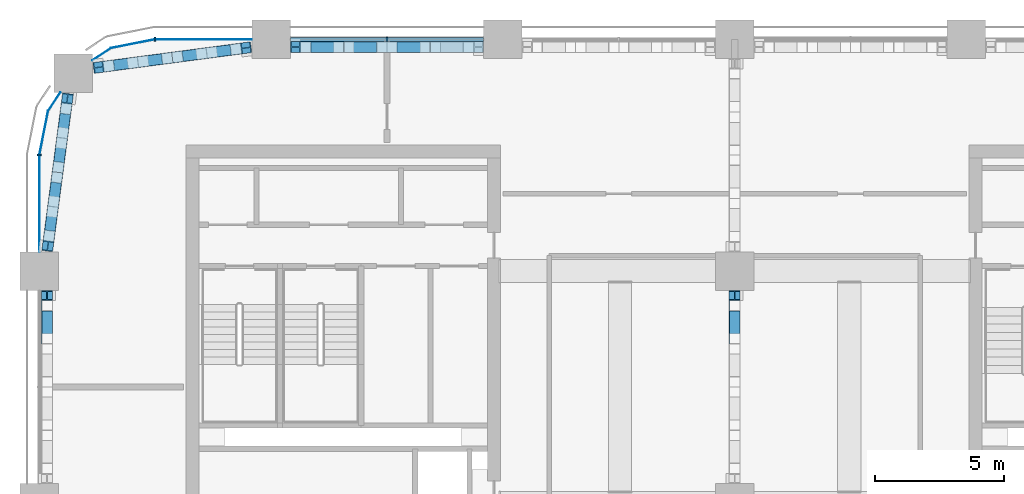
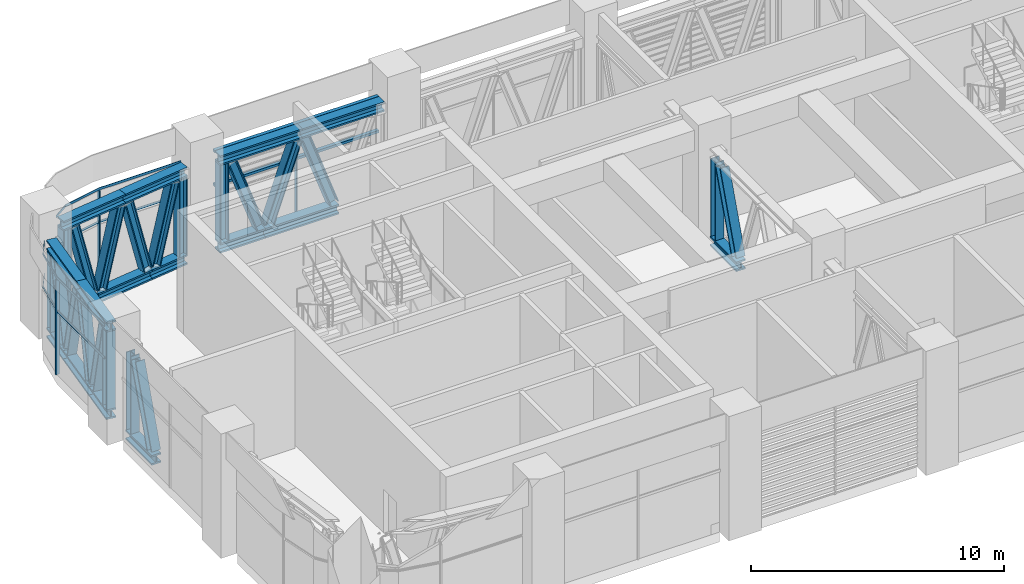
# One storey, part 4 of 19: 45 members, 3 elements without a shape of their own.
"""IFC4 building model written with IfcOpenShell, lengths in metres."""

from ifc_helpers import new_model, si_unit, direction, frame, origin, origin_2d, place, context, subcontext, project, spatial, polyline, rectangle, i_section, outline, extrude, material, material_profile, profile_set, type_object, element, aggregate, save


model = new_model("IFC4")

# Units and contexts
model_context = context("Model", 3, precision=1e-05, world=origin(), true_north=direction((0.0, 1.0)))
body_context = subcontext(model_context, "Body", "Model", "MODEL_VIEW")
ifc_project = project(units=[si_unit("LENGTHUNIT", "METRE"), si_unit("AREAUNIT", "SQUARE_METRE"), si_unit("VOLUMEUNIT", "CUBIC_METRE"), si_unit("PLANEANGLEUNIT", "RADIAN"), si_unit("MASSUNIT", "GRAM", prefix="KILO")], contexts=[model_context])

# Site, building, storey
site_placement = place(None, origin())
site = spatial("IfcSite", under=ifc_project, at=site_placement, CompositionType="ELEMENT")
building_placement = place(site_placement, origin())
building = spatial("IfcBuilding", under=site, at=building_placement, Name="Tessera Arch", CompositionType="ELEMENT")
storey_placement = place(building_placement, frame((0.0, 0.0, 197.300048828125)))
storey = spatial("IfcBuildingStorey", under=building, at=storey_placement, Name="L47", CompositionType="ELEMENT", Elevation=197.300048828125)

# Curtain wall, member
ifc_material_1 = material(Name="CW7 curtain wall")
curtain_wall_type = type_object("IfcCurtainWallType", Name="CW7 curtain wall", PredefinedType="NOTDEFINED", material=ifc_material_1)
curtain_wall_1_placement = place(storey_placement, origin())
curtain_wall_1 = element("IfcCurtainWall", 1, at=curtain_wall_1_placement, inside=storey, type_object=curtain_wall_type, Name="CW7 curtain wall N54.0/4 L47", PredefinedType="NOTDEFINED")
ifc_material_2 = material(Name="Anodised aluminium pale metal", Category="aluminium")
ifc_material_profile_1 = material_profile(ifc_material_2, rectangle(XDim=0.159912109375, YDim=0.06005859375, at=origin_2d()), Name="AL 60x160")
ifc_profile_set_1 = profile_set([ifc_material_profile_1], Name="Anodised aluminium pale metal")
member_type_1 = type_object("IfcMemberType", Name="CW7 mullion", PredefinedType="MULLION", material=ifc_profile_set_1)
member_1_placement = place(storey_placement, frame((13.5, 54.0, 0.0), z_axis=(0.0, 0.0, 1.0), x_axis=(0.0, -1.0, 0.0)))
member_1 = element("IfcMember", 2, at=member_1_placement, type_object=member_type_1, Name="CW7 mullion N54.0/4 1", PredefinedType="MULLION", context=body_context, shape_type="SweptSolid", body=[
    extrude(rectangle(XDim=0.159912109375, YDim=0.06005859375, at=origin_2d()), origin(), (0.0, 0.0, 1.0), 4.579833984375),
])

curtain_wall_2_placement = place(storey_placement, origin())
curtain_wall_2 = element("IfcCurtainWall", 3, at=curtain_wall_2_placement, inside=storey, type_object=curtain_wall_type, Name="CW7 curtain wall N54.0/5 L47", PredefinedType="NOTDEFINED")
member_2_placement = place(storey_placement, frame((4.5, 54.0, 0.0), z_axis=(0.0, 0.0, 1.0), x_axis=(0.0, -1.0, 0.0)))
member_2 = element("IfcMember", 4, at=member_2_placement, type_object=member_type_1, Name="CW7 mullion N54.0/5 1", PredefinedType="MULLION", context=body_context, shape_type="SweptSolid", body=[
    extrude(rectangle(XDim=0.159912109375, YDim=0.06005859375, at=origin_2d()), origin(), (0.0, 0.0, 1.0), 4.579833984375),
])

curtain_wall_3_placement = place(storey_placement, origin())
curtain_wall_3 = element("IfcCurtainWall", 5, at=curtain_wall_3_placement, inside=storey, type_object=curtain_wall_type, Name="CW7 curtain wall W0.27/0 L47", PredefinedType="NOTDEFINED")
member_3_placement = place(storey_placement, frame((0.0, 49.5, 0.0), z_axis=(0.0, 0.0, 1.0), x_axis=(1.0, 0.0, 0.0)))
member_3 = element("IfcMember", 6, at=member_3_placement, type_object=member_type_1, Name="CW7 mullion W0.27/0 1", PredefinedType="MULLION", context=body_context, shape_type="SweptSolid", body=[
    extrude(rectangle(XDim=0.159912109375, YDim=0.06005859375, at=origin_2d()), origin(), (0.0, 0.0, 1.0), 4.579833984375),
])

# Member
ifc_material_3 = material(Name="Anodised aluminium pale metal", Category="aluminium")
ifc_material_profile_2 = material_profile(ifc_material_3, rectangle(XDim=0.159912109375, YDim=0.1201171875, at=origin_2d()), Name="AL 160x120")
ifc_profile_set_2 = profile_set([ifc_material_profile_2], Name="Anodised aluminium pale metal")
member_type_2 = type_object("IfcMemberType", Name="CW7 transom", PredefinedType="USERDEFINED", material=ifc_profile_set_2)
member_4_placement = place(storey_placement, frame((17.25, 54.0, 4.639892578125), z_axis=(-1.0, 0.0, 0.0), x_axis=(0.0, -1.0, 0.0)))
member_4 = element("IfcMember", 7, at=member_4_placement, type_object=member_type_2, Name="CW7 transom N54.0/4 1.1", ObjectType="TRANSOM", PredefinedType="USERDEFINED", context=body_context, shape_type="SweptSolid", body=[
    extrude(rectangle(XDim=0.159912109375, YDim=0.1201171875, at=origin_2d()), origin(), (0.0, 0.0, 1.0), 7.5),
])

member_5_placement = place(storey_placement, frame((17.25, 54.0, 3.0), z_axis=(-1.0, 0.0, 0.0), x_axis=(0.0, -1.0, 0.0)))
member_5 = element("IfcMember", 8, at=member_5_placement, type_object=member_type_2, Name="CW7 transom N54.0/4 2.1", ObjectType="TRANSOM", PredefinedType="USERDEFINED", context=body_context, shape_type="SweptSolid", body=[
    extrude(rectangle(XDim=0.159912109375, YDim=0.1201171875, at=origin_2d()), origin(), (0.0, 0.0, 1.0), 7.5),
])

aggregate(curtain_wall_1, [member_1, member_4, member_5])

member_6_placement = place(storey_placement, frame((0.0, 0.0, 3.0)))
member_6 = element("IfcMember", 9, at=member_6_placement, type_object=member_type_2, Name="CW7 transom N54.0/5 1", ObjectType="TRANSOM", PredefinedType="USERDEFINED", context=body_context, shape_type="SweptSolid", body=[
    extrude(outline(polyline([(4.5009765625, 53.989990234375), (8.25, 53.989990234375), (8.25, 54.010009765625), (4.4990234375, 54.010009765625), (2.77392578125, 53.6669921875), (2.0625, 53.19140625), (2.073486328125, 53.1748046875), (2.78173828125, 53.648193359375), (4.5009765625, 53.989990234375)])), origin(), (0.0, 0.0, 1.0), 0.119873046875),
])

member_7_placement = place(storey_placement, frame((0.0, 0.0, 4.579833984375)))
member_7 = element("IfcMember", 10, at=member_7_placement, type_object=member_type_2, Name="CW7 transom N54.0/5 2", ObjectType="TRANSOM", PredefinedType="USERDEFINED", context=body_context, shape_type="SweptSolid", body=[
    extrude(outline(polyline([(4.5009765625, 53.989990234375), (8.25, 53.989990234375), (8.25, 54.010009765625), (4.4990234375, 54.010009765625), (2.77392578125, 53.6669921875), (2.0625, 53.19140625), (2.073486328125, 53.1748046875), (2.78173828125, 53.648193359375), (4.5009765625, 53.989990234375)])), origin(), (0.0, 0.0, 1.0), 0.1201171875),
])

aggregate(curtain_wall_2, [member_2, member_6, member_7])

member_8_placement = place(storey_placement, frame((0.0, 0.0, 3.0)))
member_8 = element("IfcMember", 11, at=member_8_placement, type_object=member_type_2, Name="CW7 transom W0.27/0 1", ObjectType="TRANSOM", PredefinedType="USERDEFINED", context=body_context, shape_type="SweptSolid", body=[
    extrude(outline(polyline([(0.351806640625, 51.21826171875), (0.8251953125, 51.926513671875), (0.80859375, 51.9375), (0.3330078125, 51.22607421875), (-0.010009765625, 49.5009765625), (-0.010009765625, 45.75), (0.010009765625, 45.75), (0.010009765625, 49.4990234375), (0.351806640625, 51.21826171875)])), origin(), (0.0, 0.0, 1.0), 0.119873046875),
])

member_9_placement = place(storey_placement, frame((0.0, 0.0, 4.579833984375)))
member_9 = element("IfcMember", 12, at=member_9_placement, type_object=member_type_2, Name="CW7 transom W0.27/0 2", ObjectType="TRANSOM", PredefinedType="USERDEFINED", context=body_context, shape_type="SweptSolid", body=[
    extrude(outline(polyline([(0.351806640625, 51.21826171875), (0.8251953125, 51.926513671875), (0.80859375, 51.9375), (0.3330078125, 51.22607421875), (-0.010009765625, 49.5009765625), (-0.010009765625, 45.75), (0.010009765625, 45.75), (0.010009765625, 49.4990234375), (0.351806640625, 51.21826171875)])), origin(), (0.0, 0.0, 1.0), 0.1201171875),
])

aggregate(curtain_wall_3, [member_3, member_8, member_9])

# Members
ifc_material_4 = material(Name="Steel A992 Gr50", Category="steel")
ifc_material_profile_3 = material_profile(ifc_material_4, i_section(OverallWidth=0.424072265625, OverallDepth=0.47412109375, WebThickness=0.047607421875, FlangeThickness=0.0771484375, at=origin_2d()), Name="W14x426")
ifc_profile_set_3 = profile_set([ifc_material_profile_3], Name="Steel A992 Gr50")
member_type_3 = type_object("IfcMemberType", Name="Truss chord W14x426", PredefinedType="CHORD", material=ifc_profile_set_3)
for number, where, z_axis, x_axis, name in (
    (13, (17.25, 53.699951171875, 4.462890625), (-1.0, 0.0, 0.0), (0.0, -1.0, 0.0), "Belt truss top chord 1"),
    (14, (13.5, 53.699951171875, 4.462890625), (-1.0, 0.0, 0.0), (0.0, -1.0, 0.0), "Belt truss top chord 2"),
):
    element("IfcMember", number, at=place(storey_placement, frame(where, z_axis=z_axis, x_axis=x_axis)), inside=storey, type_object=member_type_3, Name=name, PredefinedType="CHORD", context=body_context, shape_type="SweptSolid", body=[
        extrude(i_section(OverallWidth=0.424072265625, OverallDepth=0.47412109375, WebThickness=0.047607421875, FlangeThickness=0.0771484375, at=origin_2d()), origin(), (0.0, 0.0, 1.0), 3.75),
    ])
member_10_placement = place(storey_placement, frame((15.17822265625, 53.699951171875, 0.237060546875), z_axis=(-1.0, 0.0, 0.0), x_axis=(0.0, -1.0, 0.0)))
element("IfcMember", 15, at=member_10_placement, inside=storey, type_object=member_type_3, Name="Belt truss bottom chord 2", PredefinedType="CHORD", context=body_context, shape_type="SweptSolid", body=[
    extrude(i_section(OverallWidth=0.424072265625, OverallDepth=0.47412109375, WebThickness=0.047607421875, FlangeThickness=0.0771484375, at=origin_2d()), origin(), (0.0, 0.0, 1.0), 3.3564453125),
])
member_11_placement = place(storey_placement, frame((11.82177734375, 53.699951171875, 0.237060546875), z_axis=(-1.0, 0.0, 0.0), x_axis=(0.0, -1.0, 0.0)))
element("IfcMember", 16, at=member_11_placement, inside=storey, type_object=member_type_3, Name="Belt truss bottom chord 3", PredefinedType="CHORD", context=body_context, shape_type="SweptSolid", body=[
    extrude(i_section(OverallWidth=0.424072265625, OverallDepth=0.47412109375, WebThickness=0.047607421875, FlangeThickness=0.0771484375, at=origin_2d()), origin(), (0.0, 0.0, 1.0), 2.07177734375),
])
for number, where, z_axis, x_axis, name in (
    (17, (8.22216796875, 53.69384765625, 4.462890625), (-0.991380036546, -0.131017644373, 0.0), (0.131017644373, -0.991380036546, 0.0), "Belt truss top chord 1"),
    (18, (5.164794921875, 53.289794921875, 4.462890625), (-0.991380036546, -0.131017644373, 0.0), (0.131017644373, -0.991380036546, 0.0), "Belt truss top chord 2"),
):
    element("IfcMember", number, at=place(storey_placement, frame(where, z_axis=z_axis, x_axis=x_axis)), inside=storey, type_object=member_type_3, Name=name, PredefinedType="CHORD", context=body_context, shape_type="SweptSolid", body=[
        extrude(i_section(OverallWidth=0.424072265625, OverallDepth=0.47412109375, WebThickness=0.047607421875, FlangeThickness=0.0771484375, at=origin_2d()), origin(), (0.0, 0.0, 1.0), 3.083984375),
    ])
member_12_placement = place(storey_placement, frame((8.22216796875, 53.69384765625, 0.237060546875), z_axis=(-0.991364700068, -0.131133639692, 0.0), x_axis=(0.131133639692, -0.991364700068, 0.0)))
element("IfcMember", 19, at=member_12_placement, inside=storey, type_object=member_type_3, Name="Belt truss bottom chord 1", PredefinedType="CHORD", context=body_context, shape_type="SweptSolid", body=[
    extrude(i_section(OverallWidth=0.424072265625, OverallDepth=0.47412109375, WebThickness=0.047607421875, FlangeThickness=0.0771484375, at=origin_2d()), origin(), (0.0, 0.0, 1.0), 1.739013671875),
])
member_13_placement = place(storey_placement, frame((6.498291015625, 53.4658203125, 0.237060546875), z_axis=(-0.991388064832, -0.13095688187, 0.0), x_axis=(0.13095688187, -0.991388064832, 0.0)))
element("IfcMember", 20, at=member_13_placement, inside=storey, type_object=member_type_3, Name="Belt truss bottom chord 2", PredefinedType="CHORD", context=body_context, shape_type="SweptSolid", body=[
    extrude(i_section(OverallWidth=0.424072265625, OverallDepth=0.47412109375, WebThickness=0.047607421875, FlangeThickness=0.0771484375, at=origin_2d()), origin(), (0.0, 0.0, 1.0), 2.690185546875),
])
member_14_placement = place(storey_placement, frame((3.831298828125, 53.113525390625, 0.237060546875), z_axis=(-0.991382942983, -0.130995650163, 0.0), x_axis=(0.130995650163, -0.991382942983, 0.0)))
element("IfcMember", 21, at=member_14_placement, inside=storey, type_object=member_type_3, Name="Belt truss bottom chord 3", PredefinedType="CHORD", context=body_context, shape_type="SweptSolid", body=[
    extrude(i_section(OverallWidth=0.424072265625, OverallDepth=0.47412109375, WebThickness=0.047607421875, FlangeThickness=0.0771484375, at=origin_2d()), origin(), (0.0, 0.0, 1.0), 1.73876953125),
])
for number, where, z_axis, x_axis, name in (
    (22, (1.1142578125, 51.892578125, 4.462890625), (-0.131017644373, -0.991380036546, 0.0), (0.991380036546, -0.131017644373, 0.0), "Belt truss top chord 1"),
    (23, (0.710205078125, 48.835205078125, 4.462890625), (-0.131017644373, -0.991380036546, 0.0), (0.991380036546, -0.131017644373, 0.0), "Belt truss top chord 2"),
):
    element("IfcMember", number, at=place(storey_placement, frame(where, z_axis=z_axis, x_axis=x_axis)), inside=storey, type_object=member_type_3, Name=name, PredefinedType="CHORD", context=body_context, shape_type="SweptSolid", body=[
        extrude(i_section(OverallWidth=0.424072265625, OverallDepth=0.47412109375, WebThickness=0.047607421875, FlangeThickness=0.0771484375, at=origin_2d()), origin(), (0.0, 0.0, 1.0), 3.083984375),
    ])
member_15_placement = place(storey_placement, frame((1.1142578125, 51.892578125, 0.237060546875), z_axis=(-0.130995650163, -0.991382942983, 0.0), x_axis=(0.991382942983, -0.130995650163, 0.0)))
element("IfcMember", 24, at=member_15_placement, inside=storey, type_object=member_type_3, Name="Belt truss bottom chord 1", PredefinedType="CHORD", context=body_context, shape_type="SweptSolid", body=[
    extrude(i_section(OverallWidth=0.424072265625, OverallDepth=0.47412109375, WebThickness=0.047607421875, FlangeThickness=0.0771484375, at=origin_2d()), origin(), (0.0, 0.0, 1.0), 1.73876953125),
])
member_16_placement = place(storey_placement, frame((0.886474609375, 50.168701171875, 0.237060546875), z_axis=(-0.13095688187, -0.991388064832, 0.0), x_axis=(0.991388064832, -0.13095688187, 0.0)))
element("IfcMember", 25, at=member_16_placement, inside=storey, type_object=member_type_3, Name="Belt truss bottom chord 2", PredefinedType="CHORD", context=body_context, shape_type="SweptSolid", body=[
    extrude(i_section(OverallWidth=0.424072265625, OverallDepth=0.47412109375, WebThickness=0.047607421875, FlangeThickness=0.0771484375, at=origin_2d()), origin(), (0.0, 0.0, 1.0), 2.690185546875),
])
member_17_placement = place(storey_placement, frame((0.5341796875, 47.501708984375, 0.237060546875), z_axis=(-0.131133639692, -0.991364700068, 0.0), x_axis=(0.991364700068, -0.131133639692, 0.0)))
element("IfcMember", 26, at=member_17_placement, inside=storey, type_object=member_type_3, Name="Belt truss bottom chord 3", PredefinedType="CHORD", context=body_context, shape_type="SweptSolid", body=[
    extrude(i_section(OverallWidth=0.424072265625, OverallDepth=0.47412109375, WebThickness=0.047607421875, FlangeThickness=0.0771484375, at=origin_2d()), origin(), (0.0, 0.0, 1.0), 1.739013671875),
])
member_18_placement = place(storey_placement, frame((0.300048828125, 44.25, 0.237060546875), z_axis=(0.0, -1.0, 0.0), x_axis=(1.0, 0.0, 0.0)))
element("IfcMember", 27, at=member_18_placement, inside=storey, type_object=member_type_3, Name="Belt truss bottom chord 1", PredefinedType="CHORD", context=body_context, shape_type="SweptSolid", body=[
    extrude(i_section(OverallWidth=0.424072265625, OverallDepth=0.47412109375, WebThickness=0.047607421875, FlangeThickness=0.0771484375, at=origin_2d()), origin(), (0.0, 0.0, 1.0), 2.07177734375),
])
member_19_placement = place(storey_placement, frame((27.0, 42.177978515625, 0.237060546875), z_axis=(0.0, 1.0, 0.0), x_axis=(-1.0, 0.0, 0.0)))
element("IfcMember", 28, at=member_19_placement, inside=storey, type_object=member_type_3, Name="Belt truss bottom chord 3", PredefinedType="CHORD", context=body_context, shape_type="SweptSolid", body=[
    extrude(i_section(OverallWidth=0.424072265625, OverallDepth=0.47412109375, WebThickness=0.047607421875, FlangeThickness=0.0771484375, at=origin_2d()), origin(), (0.0, 0.0, 1.0), 2.072021484375),
])
ifc_material_5 = material(Name="Steel A992 Gr50", Category="steel")
ifc_material_profile_4 = material_profile(ifc_material_5, i_section(OverallWidth=0.406494140625, OverallDepth=0.41650390625, WebThickness=0.030029296875, FlangeThickness=0.048095703125, at=origin_2d()), Name="W14x257")
ifc_profile_set_4 = profile_set([ifc_material_profile_4], Name="Steel A992 Gr50")
member_type_4 = type_object("IfcMemberType", Name="Truss diagonal W14x257", PredefinedType="BRACE", material=ifc_profile_set_4)
for number, where, z_axis, x_axis, name in (
    (29, (14.975830078125, 53.699951171875, 0.56103515625), (-0.335371083549, 0.0, 0.94208610876), (0.0, -1.0, 0.0), "Belt truss diagonal 2"),
    (30, (13.2978515625, 53.699951171875, 4.138916015625), (-0.335371083549, 0.0, -0.94208610876), (0.0, -1.0, 0.0), "Belt truss diagonal 3"),
    (31, (11.61962890625, 53.699951171875, 0.56103515625), (-0.335371083549, 0.0, 0.94208610876), (0.0, -1.0, 0.0), "Belt truss diagonal 4"),
):
    element("IfcMember", number, at=place(storey_placement, frame(where, z_axis=z_axis, x_axis=x_axis)), inside=storey, type_object=member_type_4, Name=name, PredefinedType="BRACE", context=body_context, shape_type="SweptSolid", body=[
        extrude(i_section(OverallWidth=0.406494140625, OverallDepth=0.41650390625, WebThickness=0.030029296875, FlangeThickness=0.048095703125, at=origin_2d()), origin(), (0.0, 0.0, 1.0), 3.7978515625),
    ])
for number, where, z_axis, x_axis, name in (
    (32, (7.627685546875, 53.615234375, 4.15625), (-0.247867143338, -0.032782850795, -0.96823920802), (0.131117939578, -0.991366776688, 0.0), "Belt truss diagonal 1"),
    (33, (6.2939453125, 53.43896484375, 0.543701171875), (-0.247867143338, -0.032782850795, 0.96823920802), (0.131117939578, -0.991366776688, 0.0), "Belt truss diagonal 2"),
    (34, (4.96044921875, 53.2626953125, 4.15625), (-0.247867143338, -0.032782850795, -0.96823920802), (0.131117939578, -0.991366776688, 0.0), "Belt truss diagonal 3"),
    (35, (3.626708984375, 53.08642578125, 0.543701171875), (-0.247867674519, -0.032717486077, 0.968241282963), (0.13086071323, -0.991400763432, 0.0), "Belt truss diagonal 4"),
    (36, (1.03564453125, 51.298095703125, 4.15625), (-0.032717486077, -0.247867674519, -0.968241282963), (0.991400763432, -0.13086071323, 0.0), "Belt truss diagonal 1"),
    (37, (0.859619140625, 49.96435546875, 0.543701171875), (-0.032782850795, -0.247867143338, 0.96823920802), (0.991366776688, -0.131117939578, 0.0), "Belt truss diagonal 2"),
    (38, (0.683349609375, 48.630859375, 4.15625), (-0.032782850795, -0.247867143338, -0.96823920802), (0.991366776688, -0.131117939578, 0.0), "Belt truss diagonal 3"),
    (39, (0.507080078125, 47.297119140625, 0.543701171875), (-0.032782850795, -0.247867143338, 0.96823920802), (0.991366776688, -0.131117939578, 0.0), "Belt truss diagonal 4"),
):
    element("IfcMember", number, at=place(storey_placement, frame(where, z_axis=z_axis, x_axis=x_axis)), inside=storey, type_object=member_type_4, Name=name, PredefinedType="BRACE", context=body_context, shape_type="SweptSolid", body=[
        extrude(i_section(OverallWidth=0.406494140625, OverallDepth=0.41650390625, WebThickness=0.030029296875, FlangeThickness=0.048095703125, at=origin_2d()), origin(), (0.0, 0.0, 1.0), 3.73095703125),
    ])
for number, where, z_axis, x_axis, name in (
    (40, (0.300048828125, 43.654052734375, 4.138916015625), (0.0, -0.335371083549, -0.94208610876), (1.0, 0.0, 0.0), "Belt truss diagonal 1"),
    (41, (27.0, 42.38037109375, 0.56103515625), (0.0, 0.335371083549, 0.94208610876), (-1.0, 0.0, 0.0), "Belt truss diagonal 4"),
):
    element("IfcMember", number, at=place(storey_placement, frame(where, z_axis=z_axis, x_axis=x_axis)), inside=storey, type_object=member_type_4, Name=name, PredefinedType="BRACE", context=body_context, shape_type="SweptSolid", body=[
        extrude(i_section(OverallWidth=0.406494140625, OverallDepth=0.41650390625, WebThickness=0.030029296875, FlangeThickness=0.048095703125, at=origin_2d()), origin(), (0.0, 0.0, 1.0), 3.7978515625),
    ])
ifc_material_6 = material(Name="Steel A992 Gr50", Category="steel")
ifc_material_profile_5 = material_profile(ifc_material_6, i_section(OverallWidth=0.398681640625, OverallDepth=0.393798828125, WebThickness=0.022705078125, FlangeThickness=0.03662109375, at=origin_2d()), Name="W14x193")
ifc_profile_set_5 = profile_set([ifc_material_profile_5], Name="Steel A992 Gr50")
member_type_5 = type_object("IfcMemberType", Name="Truss post W14x193", PredefinedType="POST", material=ifc_profile_set_5)
for number, where, z_axis, x_axis, name in (
    (42, (9.94677734375, 53.699951171875, 0.47412109375), (0.0, 0.0, 1.0), (0.0, 1.0, 0.0), "Belt truss end post 2"),
    (43, (8.027099609375, 53.66796875, 0.47412109375), (0.0, 0.0, 1.0), (-0.131002902497, 0.991381984675, 0.0), "Belt truss end post 1"),
    (44, (2.302490234375, 52.911376953125, 0.47412109375), (0.0, 0.0, 1.0), (-0.131002902497, 0.991381984675, 0.0), "Belt truss end post 2"),
    (45, (1.088623046875, 51.697509765625, 0.47412109375), (0.0, 0.0, 1.0), (-0.991381984675, 0.131002902497, 0.0), "Belt truss end post 1"),
    (46, (0.33203125, 45.972900390625, 0.47412109375), (0.0, 0.0, 1.0), (-0.991381984675, 0.131002902497, 0.0), "Belt truss end post 2"),
    (47, (0.300048828125, 44.05322265625, 0.47412109375), (0.0, 0.0, 1.0), (1.0, 0.0, 0.0), "Belt truss end post 1"),
    (48, (27.0, 44.052978515625, 0.47412109375), (0.0, 0.0, 1.0), (1.0, 0.0, 0.0), "Belt truss end post 2"),
):
    element("IfcMember", number, at=place(storey_placement, frame(where, z_axis=z_axis, x_axis=x_axis)), inside=storey, type_object=member_type_5, Name=name, PredefinedType="POST", context=body_context, shape_type="SweptSolid", body=[
        extrude(i_section(OverallWidth=0.398681640625, OverallDepth=0.393798828125, WebThickness=0.022705078125, FlangeThickness=0.03662109375, at=origin_2d()), origin(), (0.0, 0.0, 1.0), 3.751708984375),
    ])

save(model, "model.ifc")
